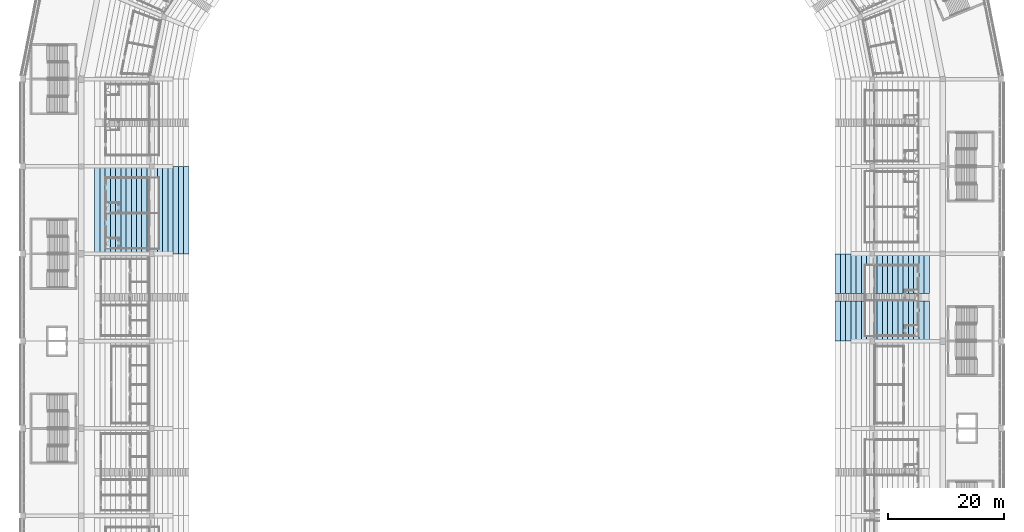
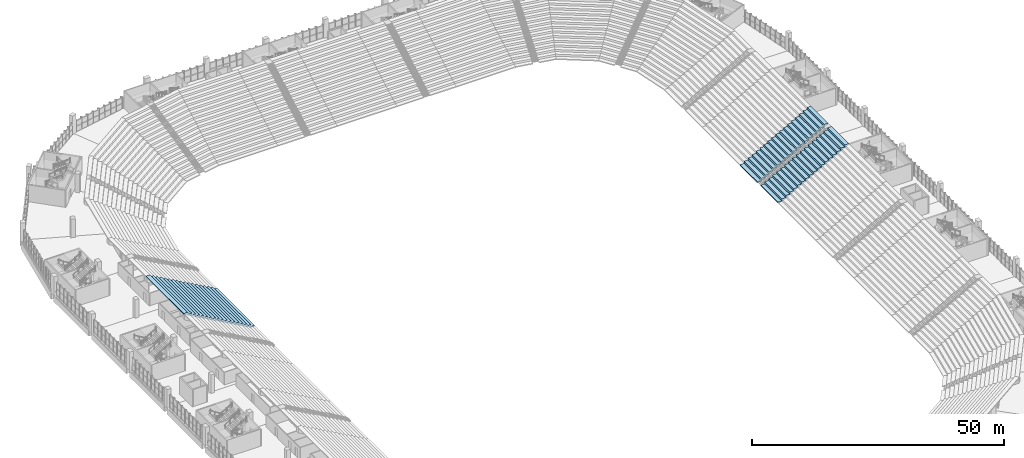
# One storey, part 123 of 249: 2 slabs.
"""IFC4 building model written with IfcOpenShell, lengths in metres."""

from ifc_helpers import new_model, si_unit, direction, frame, origin, place, context, subcontext, project, spatial, faceted_brep, material, layer, layer_set, type_object, element, save


model = new_model("IFC4")

# Units and contexts
model_context = context("Model", 3, precision=1e-05, world=origin(), true_north=direction((0.0, 1.0)))
body_context = subcontext(model_context, "Body", "Model", "MODEL_VIEW")
ifc_project = project(units=[si_unit("LENGTHUNIT", "METRE"), si_unit("AREAUNIT", "SQUARE_METRE"), si_unit("VOLUMEUNIT", "CUBIC_METRE"), si_unit("PLANEANGLEUNIT", "RADIAN"), si_unit("MASSUNIT", "GRAM", prefix="KILO")], contexts=[model_context])

# Site, building, storey
site_placement = place(None, origin())
site = spatial("IfcSite", under=ifc_project, at=site_placement, CompositionType="ELEMENT")
building_placement = place(site_placement, origin())
building = spatial("IfcBuilding", under=site, at=building_placement, Name="Ogive Plaza Stadium", CompositionType="ELEMENT")
storey_placement = place(building_placement, frame((0.0, 0.0, 13.5)))
storey = spatial("IfcBuildingStorey", under=building, at=storey_placement, Name="L03", CompositionType="ELEMENT", Elevation=13.5)

# Slabs
ifc_material = material(Name="Concrete C45/55 precast", Category="concrete")
ifc_layer = layer(ifc_material, 0.699951171875)
ifc_layer_set = layer_set([ifc_layer], Name="Concrete C45/55 precast")
slab_type = type_object("IfcSlabType", Name="Seating tier UT 700", PredefinedType="USERDEFINED", material=ifc_layer_set)
slab_1_placement = place(storey_placement, origin())
element("IfcSlab", 1, at=slab_1_placement, inside=storey, type_object=slab_type, Name="Stand UT B03", ObjectType="SEATING TIER", PredefinedType="USERDEFINED", context=body_context, shape_type="Brep", body=[
    faceted_brep([(55.5, 15.64990234375, 0.5), (56.39990234375, 15.64990234375, 0.5), (56.39990234375, 22.5, 0.5), (55.5, 22.5, 0.5), (55.5, 7.5, 0.5), (56.39990234375, 7.5, 0.5), (56.39990234375, 14.35009765625, 0.5), (55.5, 14.35009765625, 0.5), (56.39990234375, 15.64990234375, 0.300048828125), (55.5, 22.5, 0.25), (56.39990234375, 22.5, 0.300048828125), (55.5, 15.64990234375, 0.25), (56.39990234375, 7.5, 0.300048828125), (55.5, 14.35009765625, 0.25), (56.39990234375, 14.35009765625, 0.300048828125), (55.5, 7.5, 0.25), (56.39990234375, 15.64990234375, 1.0), (56.39990234375, 22.5, 1.0), (56.39990234375, 7.5, 1.0), (56.39990234375, 14.35009765625, 1.0), (57.300048828125, 22.5, 1.0), (57.300048828125, 22.5, 0.800048828125), (57.300048828125, 22.5, 1.5), (58.199951171875, 22.5, 1.5), (58.199951171875, 22.5, 1.300048828125), (58.199951171875, 22.5, 2.0), (59.10009765625, 22.5, 2.0), (59.10009765625, 22.5, 1.800048828125), (59.10009765625, 22.5, 2.5), (60.0, 22.5, 2.5), (60.0, 22.5, 2.300048828125), (60.0, 22.5, 3.0), (60.89990234375, 22.5, 3.0), (60.89990234375, 22.5, 2.800048828125), (60.89990234375, 22.5, 3.5), (61.800048828125, 22.5, 3.5), (61.800048828125, 22.5, 3.300048828125), (61.800048828125, 22.5, 4.0), (62.699951171875, 22.5, 4.0), (62.699951171875, 22.5, 3.800048828125), (62.699951171875, 22.5, 4.5), (63.60009765625, 22.5, 4.5), (63.60009765625, 22.5, 4.300048828125), (63.60009765625, 22.5, 5.0), (64.5, 22.5, 5.0), (64.5, 22.5, 4.800048828125), (64.5, 22.5, 5.5), (65.39990234375, 22.5, 5.5), (65.39990234375, 22.5, 5.300048828125), (65.39990234375, 22.5, 6.0), (66.300048828125, 22.5, 6.0), (66.300048828125, 22.5, 5.800048828125), (66.300048828125, 22.5, 6.5), (67.199951171875, 22.5, 6.5), (67.199951171875, 22.5, 6.300048828125), (67.199951171875, 22.5, 7.0), (68.10009765625, 22.5, 7.0), (68.10009765625, 22.5, 6.800048828125), (68.10009765625, 22.5, 7.5), (69.0, 22.5, 7.5), (69.0, 22.5, 7.300048828125), (69.0, 22.5, 8.0), (69.89990234375, 22.5, 8.0), (69.89990234375, 22.5, 7.800048828125), (69.89990234375, 22.5, 8.5), (70.800048828125, 22.5, 8.5), (70.800048828125, 22.5, 8.300048828125), (70.800048828125, 22.5, 9.0), (71.699951171875, 22.5, 9.0), (71.699951171875, 22.5, 8.800048828125), (57.300048828125, 15.64990234375, 1.0), (57.300048828125, 15.64990234375, 0.800048828125), (58.199951171875, 15.64990234375, 1.5), (57.300048828125, 15.64990234375, 1.5), (58.199951171875, 15.64990234375, 1.300048828125), (59.10009765625, 15.64990234375, 2.0), (58.199951171875, 15.64990234375, 2.0), (59.10009765625, 15.64990234375, 1.800048828125), (60.0, 15.64990234375, 2.5), (59.10009765625, 15.64990234375, 2.5), (60.0, 15.64990234375, 2.300048828125), (60.89990234375, 15.64990234375, 3.0), (60.0, 15.64990234375, 3.0), (60.89990234375, 15.64990234375, 2.800048828125), (61.800048828125, 15.64990234375, 3.5), (60.89990234375, 15.64990234375, 3.5), (61.800048828125, 15.64990234375, 3.300048828125), (62.699951171875, 15.64990234375, 4.0), (61.800048828125, 15.64990234375, 4.0), (62.699951171875, 15.64990234375, 3.800048828125), (63.60009765625, 15.64990234375, 4.5), (62.699951171875, 15.64990234375, 4.5), (63.60009765625, 15.64990234375, 4.300048828125), (64.5, 15.64990234375, 5.0), (63.60009765625, 15.64990234375, 5.0), (64.5, 15.64990234375, 4.800048828125), (65.39990234375, 15.64990234375, 5.5), (64.5, 15.64990234375, 5.5), (65.39990234375, 15.64990234375, 5.300048828125), (66.300048828125, 15.64990234375, 6.0), (65.39990234375, 15.64990234375, 6.0), (66.300048828125, 15.64990234375, 5.800048828125), (67.199951171875, 15.64990234375, 6.5), (66.300048828125, 15.64990234375, 6.5), (67.199951171875, 15.64990234375, 6.300048828125), (68.10009765625, 15.64990234375, 7.0), (67.199951171875, 15.64990234375, 7.0), (68.10009765625, 15.64990234375, 6.800048828125), (69.0, 15.64990234375, 7.5), (68.10009765625, 15.64990234375, 7.5), (69.0, 15.64990234375, 7.300048828125), (69.89990234375, 15.64990234375, 8.0), (69.0, 15.64990234375, 8.0), (69.89990234375, 15.64990234375, 7.800048828125), (70.800048828125, 15.64990234375, 8.5), (69.89990234375, 15.64990234375, 8.5), (70.800048828125, 15.64990234375, 8.300048828125), (71.699951171875, 15.64990234375, 9.0), (70.800048828125, 15.64990234375, 9.0), (71.699951171875, 15.64990234375, 8.800048828125), (57.300048828125, 14.35009765625, 1.0), (57.300048828125, 14.35009765625, 0.800048828125), (57.300048828125, 14.35009765625, 1.5), (58.199951171875, 14.35009765625, 1.5), (58.199951171875, 14.35009765625, 1.300048828125), (58.199951171875, 14.35009765625, 2.0), (59.10009765625, 14.35009765625, 2.0), (59.10009765625, 14.35009765625, 1.800048828125), (59.10009765625, 14.35009765625, 2.5), (60.0, 14.35009765625, 2.5), (60.0, 14.35009765625, 2.300048828125), (60.0, 14.35009765625, 3.0), (60.89990234375, 14.35009765625, 3.0), (60.89990234375, 14.35009765625, 2.800048828125), (60.89990234375, 14.35009765625, 3.5), (61.800048828125, 14.35009765625, 3.5), (61.800048828125, 14.35009765625, 3.300048828125), (61.800048828125, 14.35009765625, 4.0), (62.699951171875, 14.35009765625, 4.0), (62.699951171875, 14.35009765625, 3.800048828125), (62.699951171875, 14.35009765625, 4.5), (63.60009765625, 14.35009765625, 4.5), (63.60009765625, 14.35009765625, 4.300048828125), (63.60009765625, 14.35009765625, 5.0), (64.5, 14.35009765625, 5.0), (64.5, 14.35009765625, 4.800048828125), (64.5, 14.35009765625, 5.5), (65.39990234375, 14.35009765625, 5.5), (65.39990234375, 14.35009765625, 5.300048828125), (65.39990234375, 14.35009765625, 6.0), (66.300048828125, 14.35009765625, 6.0), (66.300048828125, 14.35009765625, 5.800048828125), (66.300048828125, 14.35009765625, 6.5), (67.199951171875, 14.35009765625, 6.5), (67.199951171875, 14.35009765625, 6.300048828125), (67.199951171875, 14.35009765625, 7.0), (68.10009765625, 14.35009765625, 7.0), (68.10009765625, 14.35009765625, 6.800048828125), (68.10009765625, 14.35009765625, 7.5), (69.0, 14.35009765625, 7.5), (69.0, 14.35009765625, 7.300048828125), (69.0, 14.35009765625, 8.0), (69.89990234375, 14.35009765625, 8.0), (69.89990234375, 14.35009765625, 7.800048828125), (69.89990234375, 14.35009765625, 8.5), (70.800048828125, 14.35009765625, 8.5), (70.800048828125, 14.35009765625, 8.300048828125), (70.800048828125, 14.35009765625, 9.0), (71.699951171875, 14.35009765625, 9.0), (71.699951171875, 14.35009765625, 8.800048828125), (57.300048828125, 7.5, 1.0), (57.300048828125, 7.5, 0.800048828125), (58.199951171875, 7.5, 1.5), (57.300048828125, 7.5, 1.5), (58.199951171875, 7.5, 1.300048828125), (59.10009765625, 7.5, 2.0), (58.199951171875, 7.5, 2.0), (59.10009765625, 7.5, 1.800048828125), (60.0, 7.5, 2.5), (59.10009765625, 7.5, 2.5), (60.0, 7.5, 2.300048828125), (60.89990234375, 7.5, 3.0), (60.0, 7.5, 3.0), (60.89990234375, 7.5, 2.800048828125), (61.800048828125, 7.5, 3.5), (60.89990234375, 7.5, 3.5), (61.800048828125, 7.5, 3.300048828125), (62.699951171875, 7.5, 4.0), (61.800048828125, 7.5, 4.0), (62.699951171875, 7.5, 3.800048828125), (63.60009765625, 7.5, 4.5), (62.699951171875, 7.5, 4.5), (63.60009765625, 7.5, 4.300048828125), (64.5, 7.5, 5.0), (63.60009765625, 7.5, 5.0), (64.5, 7.5, 4.800048828125), (65.39990234375, 7.5, 5.5), (64.5, 7.5, 5.5), (65.39990234375, 7.5, 5.300048828125), (66.300048828125, 7.5, 6.0), (65.39990234375, 7.5, 6.0), (66.300048828125, 7.5, 5.800048828125), (67.199951171875, 7.5, 6.5), (66.300048828125, 7.5, 6.5), (67.199951171875, 7.5, 6.300048828125), (68.10009765625, 7.5, 7.0), (67.199951171875, 7.5, 7.0), (68.10009765625, 7.5, 6.800048828125), (69.0, 7.5, 7.5), (68.10009765625, 7.5, 7.5), (69.0, 7.5, 7.300048828125), (69.89990234375, 7.5, 8.0), (69.0, 7.5, 8.0), (69.89990234375, 7.5, 7.800048828125), (70.800048828125, 7.5, 8.5), (69.89990234375, 7.5, 8.5), (70.800048828125, 7.5, 8.300048828125), (71.699951171875, 7.5, 9.0), (70.800048828125, 7.5, 9.0), (71.699951171875, 7.5, 8.800048828125)], [[[0, 1, 2]], [[2, 3, 0]], [[4, 5, 6]], [[6, 7, 4]], [[8, 9, 10]], [[8, 11, 9]], [[12, 13, 14]], [[12, 15, 13]], [[1, 16, 17]], [[17, 2, 1]], [[5, 18, 19]], [[19, 6, 5]], [[10, 9, 3]], [[10, 3, 2]], [[2, 17, 20]], [[20, 21, 10]], [[10, 2, 20]], [[20, 22, 23]], [[23, 24, 21]], [[21, 20, 23]], [[23, 25, 26]], [[26, 27, 24]], [[24, 23, 26]], [[26, 28, 29]], [[29, 30, 27]], [[27, 26, 29]], [[29, 31, 32]], [[32, 33, 30]], [[30, 29, 32]], [[32, 34, 35]], [[35, 36, 33]], [[33, 32, 35]], [[35, 37, 38]], [[38, 39, 36]], [[36, 35, 38]], [[38, 40, 41]], [[41, 42, 39]], [[39, 38, 41]], [[41, 43, 44]], [[44, 45, 42]], [[42, 41, 44]], [[44, 46, 47]], [[47, 48, 45]], [[45, 44, 47]], [[47, 49, 50]], [[50, 51, 48]], [[48, 47, 50]], [[50, 52, 53]], [[53, 54, 51]], [[51, 50, 53]], [[53, 55, 56]], [[56, 57, 54]], [[54, 53, 56]], [[56, 58, 59]], [[59, 60, 57]], [[57, 56, 59]], [[59, 61, 62]], [[62, 63, 60]], [[60, 59, 62]], [[62, 64, 65]], [[65, 66, 63]], [[63, 62, 65]], [[65, 67, 68]], [[68, 69, 66]], [[66, 65, 68]], [[3, 9, 11]], [[11, 0, 3]], [[7, 13, 15]], [[15, 4, 7]], [[0, 11, 8]], [[8, 1, 0]], [[70, 16, 1]], [[1, 8, 71]], [[71, 70, 1]], [[72, 73, 70]], [[70, 71, 74]], [[74, 72, 70]], [[75, 76, 72]], [[72, 74, 77]], [[77, 75, 72]], [[78, 79, 75]], [[75, 77, 80]], [[80, 78, 75]], [[81, 82, 78]], [[78, 80, 83]], [[83, 81, 78]], [[84, 85, 81]], [[81, 83, 86]], [[86, 84, 81]], [[87, 88, 84]], [[84, 86, 89]], [[89, 87, 84]], [[90, 91, 87]], [[87, 89, 92]], [[92, 90, 87]], [[93, 94, 90]], [[90, 92, 95]], [[95, 93, 90]], [[96, 97, 93]], [[93, 95, 98]], [[98, 96, 93]], [[99, 100, 96]], [[96, 98, 101]], [[101, 99, 96]], [[102, 103, 99]], [[99, 101, 104]], [[104, 102, 99]], [[105, 106, 102]], [[102, 104, 107]], [[107, 105, 102]], [[108, 109, 105]], [[105, 107, 110]], [[110, 108, 105]], [[111, 112, 108]], [[108, 110, 113]], [[113, 111, 108]], [[114, 115, 111]], [[111, 113, 116]], [[116, 114, 111]], [[117, 118, 114]], [[114, 116, 119]], [[119, 117, 114]], [[14, 13, 7]], [[14, 7, 6]], [[6, 19, 120]], [[120, 121, 14]], [[14, 6, 120]], [[120, 122, 123]], [[123, 124, 121]], [[121, 120, 123]], [[123, 125, 126]], [[126, 127, 124]], [[124, 123, 126]], [[126, 128, 129]], [[129, 130, 127]], [[127, 126, 129]], [[129, 131, 132]], [[132, 133, 130]], [[130, 129, 132]], [[132, 134, 135]], [[135, 136, 133]], [[133, 132, 135]], [[135, 137, 138]], [[138, 139, 136]], [[136, 135, 138]], [[138, 140, 141]], [[141, 142, 139]], [[139, 138, 141]], [[141, 143, 144]], [[144, 145, 142]], [[142, 141, 144]], [[144, 146, 147]], [[147, 148, 145]], [[145, 144, 147]], [[147, 149, 150]], [[150, 151, 148]], [[148, 147, 150]], [[150, 152, 153]], [[153, 154, 151]], [[151, 150, 153]], [[153, 155, 156]], [[156, 157, 154]], [[154, 153, 156]], [[156, 158, 159]], [[159, 160, 157]], [[157, 156, 159]], [[159, 161, 162]], [[162, 163, 160]], [[160, 159, 162]], [[162, 164, 165]], [[165, 166, 163]], [[163, 162, 165]], [[165, 167, 168]], [[168, 169, 166]], [[166, 165, 168]], [[4, 15, 12]], [[12, 5, 4]], [[170, 18, 5]], [[5, 12, 171]], [[171, 170, 5]], [[172, 173, 170]], [[170, 171, 174]], [[174, 172, 170]], [[175, 176, 172]], [[172, 174, 177]], [[177, 175, 172]], [[178, 179, 175]], [[175, 177, 180]], [[180, 178, 175]], [[181, 182, 178]], [[178, 180, 183]], [[183, 181, 178]], [[184, 185, 181]], [[181, 183, 186]], [[186, 184, 181]], [[187, 188, 184]], [[184, 186, 189]], [[189, 187, 184]], [[190, 191, 187]], [[187, 189, 192]], [[192, 190, 187]], [[193, 194, 190]], [[190, 192, 195]], [[195, 193, 190]], [[196, 197, 193]], [[193, 195, 198]], [[198, 196, 193]], [[199, 200, 196]], [[196, 198, 201]], [[201, 199, 196]], [[202, 203, 199]], [[199, 201, 204]], [[204, 202, 199]], [[205, 206, 202]], [[202, 204, 207]], [[207, 205, 202]], [[208, 209, 205]], [[205, 207, 210]], [[210, 208, 205]], [[211, 212, 208]], [[208, 210, 213]], [[213, 211, 208]], [[214, 215, 211]], [[211, 213, 216]], [[216, 214, 211]], [[217, 218, 214]], [[214, 216, 219]], [[219, 217, 214]], [[16, 70, 20]], [[20, 17, 16]], [[18, 170, 120]], [[120, 19, 18]], [[71, 10, 21]], [[71, 8, 10]], [[171, 14, 121]], [[171, 12, 14]], [[74, 21, 24]], [[74, 71, 21]], [[174, 121, 124]], [[174, 171, 121]], [[77, 24, 27]], [[77, 74, 24]], [[177, 124, 127]], [[177, 174, 124]], [[80, 27, 30]], [[80, 77, 27]], [[180, 127, 130]], [[180, 177, 127]], [[83, 30, 33]], [[83, 80, 30]], [[183, 130, 133]], [[183, 180, 130]], [[86, 33, 36]], [[86, 83, 33]], [[186, 133, 136]], [[186, 183, 133]], [[89, 36, 39]], [[89, 86, 36]], [[189, 136, 139]], [[189, 186, 136]], [[92, 39, 42]], [[92, 89, 39]], [[192, 139, 142]], [[192, 189, 139]], [[95, 42, 45]], [[95, 92, 42]], [[195, 142, 145]], [[195, 192, 142]], [[98, 45, 48]], [[98, 95, 45]], [[198, 145, 148]], [[198, 195, 145]], [[101, 48, 51]], [[101, 98, 48]], [[201, 148, 151]], [[201, 198, 148]], [[104, 51, 54]], [[104, 101, 51]], [[204, 151, 154]], [[204, 201, 151]], [[107, 54, 57]], [[107, 104, 54]], [[207, 154, 157]], [[207, 204, 154]], [[110, 57, 60]], [[110, 107, 57]], [[210, 157, 160]], [[210, 207, 157]], [[70, 73, 22]], [[22, 20, 70]], [[170, 173, 122]], [[122, 120, 170]], [[73, 72, 23]], [[23, 22, 73]], [[173, 172, 123]], [[123, 122, 173]], [[72, 76, 25]], [[25, 23, 72]], [[172, 176, 125]], [[125, 123, 172]], [[76, 75, 26]], [[26, 25, 76]], [[176, 175, 126]], [[126, 125, 176]], [[75, 79, 28]], [[28, 26, 75]], [[175, 179, 128]], [[128, 126, 175]], [[79, 78, 29]], [[29, 28, 79]], [[179, 178, 129]], [[129, 128, 179]], [[78, 82, 31]], [[31, 29, 78]], [[178, 182, 131]], [[131, 129, 178]], [[82, 81, 32]], [[32, 31, 82]], [[182, 181, 132]], [[132, 131, 182]], [[81, 85, 34]], [[34, 32, 81]], [[181, 185, 134]], [[134, 132, 181]], [[85, 84, 35]], [[35, 34, 85]], [[185, 184, 135]], [[135, 134, 185]], [[84, 88, 37]], [[37, 35, 84]], [[184, 188, 137]], [[137, 135, 184]], [[88, 87, 38]], [[38, 37, 88]], [[188, 187, 138]], [[138, 137, 188]], [[87, 91, 40]], [[40, 38, 87]], [[187, 191, 140]], [[140, 138, 187]], [[91, 90, 41]], [[41, 40, 91]], [[191, 190, 141]], [[141, 140, 191]], [[90, 94, 43]], [[43, 41, 90]], [[190, 194, 143]], [[143, 141, 190]], [[94, 93, 44]], [[44, 43, 94]], [[194, 193, 144]], [[144, 143, 194]], [[93, 97, 46]], [[46, 44, 93]], [[193, 197, 146]], [[146, 144, 193]], [[97, 96, 47]], [[47, 46, 97]], [[197, 196, 147]], [[147, 146, 197]], [[96, 100, 49]], [[49, 47, 96]], [[196, 200, 149]], [[149, 147, 196]], [[100, 99, 50]], [[50, 49, 100]], [[200, 199, 150]], [[150, 149, 200]], [[99, 103, 52]], [[52, 50, 99]], [[199, 203, 152]], [[152, 150, 199]], [[103, 102, 53]], [[53, 52, 103]], [[203, 202, 153]], [[153, 152, 203]], [[102, 106, 55]], [[55, 53, 102]], [[202, 206, 155]], [[155, 153, 202]], [[106, 105, 56]], [[56, 55, 106]], [[206, 205, 156]], [[156, 155, 206]], [[105, 109, 58]], [[58, 56, 105]], [[205, 209, 158]], [[158, 156, 205]], [[109, 108, 59]], [[59, 58, 109]], [[209, 208, 159]], [[159, 158, 209]], [[108, 112, 61]], [[61, 59, 108]], [[208, 212, 161]], [[161, 159, 208]], [[112, 111, 62]], [[62, 61, 112]], [[212, 211, 162]], [[162, 161, 212]], [[113, 60, 63]], [[113, 110, 60]], [[213, 160, 163]], [[213, 210, 160]], [[116, 63, 66]], [[116, 113, 63]], [[216, 163, 166]], [[216, 213, 163]], [[119, 66, 69]], [[119, 116, 66]], [[219, 166, 169]], [[219, 216, 166]], [[111, 115, 64]], [[64, 62, 111]], [[211, 215, 164]], [[164, 162, 211]], [[115, 114, 65]], [[65, 64, 115]], [[215, 214, 165]], [[165, 164, 215]], [[114, 118, 67]], [[67, 65, 114]], [[214, 218, 167]], [[167, 165, 214]], [[118, 117, 68]], [[68, 67, 118]], [[218, 217, 168]], [[168, 167, 218]], [[117, 119, 69]], [[69, 68, 117]], [[217, 219, 169]], [[169, 168, 217]]]),
])
slab_2_placement = place(storey_placement, origin())
element("IfcSlab", 2, at=slab_2_placement, inside=storey, type_object=slab_type, Name="Stand UT B26", ObjectType="SEATING TIER", PredefinedType="USERDEFINED", context=body_context, shape_type="Brep", body=[
    faceted_brep([(-55.5, 37.5, 0.5), (-56.39990234375, 37.5, 0.5), (-56.39990234375, 22.5, 0.5), (-55.5, 22.5, 0.5), (-56.39990234375, 37.5, 0.300048828125), (-55.5, 22.5, 0.25), (-56.39990234375, 22.5, 0.300048828125), (-55.5, 37.5, 0.25), (-56.39990234375, 22.5, 1.0), (-56.39990234375, 37.5, 1.0), (-57.300048828125, 22.5, 1.0), (-57.300048828125, 22.5, 0.800048828125), (-57.300048828125, 22.5, 1.5), (-58.199951171875, 22.5, 1.5), (-58.199951171875, 22.5, 1.300048828125), (-58.199951171875, 22.5, 2.0), (-59.10009765625, 22.5, 2.0), (-59.10009765625, 22.5, 1.800048828125), (-59.10009765625, 22.5, 2.5), (-60.0, 22.5, 2.5), (-60.0, 22.5, 2.300048828125), (-60.0, 22.5, 3.0), (-60.89990234375, 22.5, 3.0), (-60.89990234375, 22.5, 2.800048828125), (-60.89990234375, 22.5, 3.5), (-61.800048828125, 22.5, 3.5), (-61.800048828125, 22.5, 3.300048828125), (-61.800048828125, 22.5, 4.0), (-62.699951171875, 22.5, 4.0), (-62.699951171875, 22.5, 3.800048828125), (-62.699951171875, 22.5, 4.5), (-63.60009765625, 22.5, 4.5), (-63.60009765625, 22.5, 4.300048828125), (-63.60009765625, 22.5, 5.0), (-64.5, 22.5, 5.0), (-64.5, 22.5, 4.800048828125), (-64.5, 22.5, 5.5), (-65.39990234375, 22.5, 5.5), (-65.39990234375, 22.5, 5.300048828125), (-65.39990234375, 22.5, 6.0), (-66.300048828125, 22.5, 6.0), (-66.300048828125, 22.5, 5.800048828125), (-66.300048828125, 22.5, 6.5), (-67.199951171875, 22.5, 6.5), (-67.199951171875, 22.5, 6.300048828125), (-67.199951171875, 22.5, 7.0), (-68.10009765625, 22.5, 7.0), (-68.10009765625, 22.5, 6.800048828125), (-68.10009765625, 22.5, 7.5), (-69.0, 22.5, 7.5), (-69.0, 22.5, 7.300048828125), (-69.0, 22.5, 8.0), (-69.89990234375, 22.5, 8.0), (-69.89990234375, 22.5, 7.800048828125), (-69.89990234375, 22.5, 8.5), (-70.800048828125, 22.5, 8.5), (-70.800048828125, 22.5, 8.300048828125), (-70.800048828125, 22.5, 9.0), (-71.699951171875, 22.5, 9.0), (-71.699951171875, 22.5, 8.800048828125), (-57.300048828125, 37.5, 1.0), (-57.300048828125, 37.5, 0.800048828125), (-58.199951171875, 37.5, 1.5), (-57.300048828125, 37.5, 1.5), (-58.199951171875, 37.5, 1.300048828125), (-59.10009765625, 37.5, 2.0), (-58.199951171875, 37.5, 2.0), (-59.10009765625, 37.5, 1.800048828125), (-60.0, 37.5, 2.5), (-59.10009765625, 37.5, 2.5), (-60.0, 37.5, 2.300048828125), (-60.89990234375, 37.5, 3.0), (-60.0, 37.5, 3.0), (-60.89990234375, 37.5, 2.800048828125), (-61.800048828125, 37.5, 3.5), (-60.89990234375, 37.5, 3.5), (-61.800048828125, 37.5, 3.300048828125), (-62.699951171875, 37.5, 4.0), (-61.800048828125, 37.5, 4.0), (-62.699951171875, 37.5, 3.800048828125), (-63.60009765625, 37.5, 4.5), (-62.699951171875, 37.5, 4.5), (-63.60009765625, 37.5, 4.300048828125), (-64.5, 37.5, 5.0), (-63.60009765625, 37.5, 5.0), (-64.5, 37.5, 4.800048828125), (-65.39990234375, 37.5, 5.5), (-64.5, 37.5, 5.5), (-65.39990234375, 37.5, 5.300048828125), (-66.300048828125, 37.5, 6.0), (-65.39990234375, 37.5, 6.0), (-66.300048828125, 37.5, 5.800048828125), (-67.199951171875, 37.5, 6.5), (-66.300048828125, 37.5, 6.5), (-67.199951171875, 37.5, 6.300048828125), (-68.10009765625, 37.5, 7.0), (-67.199951171875, 37.5, 7.0), (-68.10009765625, 37.5, 6.800048828125), (-69.0, 37.5, 7.5), (-68.10009765625, 37.5, 7.5), (-69.0, 37.5, 7.300048828125), (-69.89990234375, 37.5, 8.0), (-69.0, 37.5, 8.0), (-69.89990234375, 37.5, 7.800048828125), (-70.800048828125, 37.5, 8.5), (-69.89990234375, 37.5, 8.5), (-70.800048828125, 37.5, 8.300048828125), (-71.699951171875, 37.5, 9.0), (-70.800048828125, 37.5, 9.0), (-71.699951171875, 37.5, 8.800048828125)], [[[0, 1, 2]], [[2, 3, 0]], [[4, 5, 6]], [[4, 7, 5]], [[8, 2, 1]], [[1, 9, 8]], [[6, 5, 3]], [[6, 3, 2]], [[2, 8, 10]], [[10, 11, 6]], [[6, 2, 10]], [[10, 12, 13]], [[13, 14, 11]], [[11, 10, 13]], [[13, 15, 16]], [[16, 17, 14]], [[14, 13, 16]], [[16, 18, 19]], [[19, 20, 17]], [[17, 16, 19]], [[19, 21, 22]], [[22, 23, 20]], [[20, 19, 22]], [[22, 24, 25]], [[25, 26, 23]], [[23, 22, 25]], [[25, 27, 28]], [[28, 29, 26]], [[26, 25, 28]], [[28, 30, 31]], [[31, 32, 29]], [[29, 28, 31]], [[31, 33, 34]], [[34, 35, 32]], [[32, 31, 34]], [[34, 36, 37]], [[37, 38, 35]], [[35, 34, 37]], [[37, 39, 40]], [[40, 41, 38]], [[38, 37, 40]], [[40, 42, 43]], [[43, 44, 41]], [[41, 40, 43]], [[43, 45, 46]], [[46, 47, 44]], [[44, 43, 46]], [[46, 48, 49]], [[49, 50, 47]], [[47, 46, 49]], [[49, 51, 52]], [[52, 53, 50]], [[50, 49, 52]], [[52, 54, 55]], [[55, 56, 53]], [[53, 52, 55]], [[55, 57, 58]], [[58, 59, 56]], [[56, 55, 58]], [[3, 5, 7]], [[7, 0, 3]], [[0, 7, 4]], [[4, 1, 0]], [[60, 9, 1]], [[1, 4, 61]], [[61, 60, 1]], [[62, 63, 60]], [[60, 61, 64]], [[64, 62, 60]], [[65, 66, 62]], [[62, 64, 67]], [[67, 65, 62]], [[68, 69, 65]], [[65, 67, 70]], [[70, 68, 65]], [[71, 72, 68]], [[68, 70, 73]], [[73, 71, 68]], [[74, 75, 71]], [[71, 73, 76]], [[76, 74, 71]], [[77, 78, 74]], [[74, 76, 79]], [[79, 77, 74]], [[80, 81, 77]], [[77, 79, 82]], [[82, 80, 77]], [[83, 84, 80]], [[80, 82, 85]], [[85, 83, 80]], [[86, 87, 83]], [[83, 85, 88]], [[88, 86, 83]], [[89, 90, 86]], [[86, 88, 91]], [[91, 89, 86]], [[92, 93, 89]], [[89, 91, 94]], [[94, 92, 89]], [[95, 96, 92]], [[92, 94, 97]], [[97, 95, 92]], [[98, 99, 95]], [[95, 97, 100]], [[100, 98, 95]], [[101, 102, 98]], [[98, 100, 103]], [[103, 101, 98]], [[104, 105, 101]], [[101, 103, 106]], [[106, 104, 101]], [[107, 108, 104]], [[104, 106, 109]], [[109, 107, 104]], [[9, 60, 10]], [[10, 8, 9]], [[61, 6, 11]], [[61, 4, 6]], [[64, 11, 14]], [[64, 61, 11]], [[67, 14, 17]], [[67, 64, 14]], [[70, 17, 20]], [[70, 67, 17]], [[73, 20, 23]], [[73, 70, 20]], [[76, 23, 26]], [[76, 73, 23]], [[79, 26, 29]], [[79, 76, 26]], [[82, 29, 32]], [[82, 79, 29]], [[85, 32, 35]], [[85, 82, 32]], [[88, 35, 38]], [[88, 85, 35]], [[91, 38, 41]], [[91, 88, 38]], [[94, 41, 44]], [[94, 91, 41]], [[97, 44, 47]], [[97, 94, 44]], [[100, 47, 50]], [[100, 97, 47]], [[12, 10, 60]], [[60, 63, 12]], [[63, 62, 13]], [[13, 12, 63]], [[15, 13, 62]], [[62, 66, 15]], [[66, 65, 16]], [[16, 15, 66]], [[18, 16, 65]], [[65, 69, 18]], [[69, 68, 19]], [[19, 18, 69]], [[21, 19, 68]], [[68, 72, 21]], [[72, 71, 22]], [[22, 21, 72]], [[24, 22, 71]], [[71, 75, 24]], [[75, 74, 25]], [[25, 24, 75]], [[27, 25, 74]], [[74, 78, 27]], [[78, 77, 28]], [[28, 27, 78]], [[30, 28, 77]], [[77, 81, 30]], [[81, 80, 31]], [[31, 30, 81]], [[33, 31, 80]], [[80, 84, 33]], [[84, 83, 34]], [[34, 33, 84]], [[36, 34, 83]], [[83, 87, 36]], [[87, 86, 37]], [[37, 36, 87]], [[39, 37, 86]], [[86, 90, 39]], [[90, 89, 40]], [[40, 39, 90]], [[42, 40, 89]], [[89, 93, 42]], [[93, 92, 43]], [[43, 42, 93]], [[45, 43, 92]], [[92, 96, 45]], [[96, 95, 46]], [[46, 45, 96]], [[48, 46, 95]], [[95, 99, 48]], [[99, 98, 49]], [[49, 48, 99]], [[51, 49, 98]], [[98, 102, 51]], [[102, 101, 52]], [[52, 51, 102]], [[103, 50, 53]], [[103, 100, 50]], [[106, 53, 56]], [[106, 103, 53]], [[109, 56, 59]], [[109, 106, 56]], [[54, 52, 101]], [[101, 105, 54]], [[105, 104, 55]], [[55, 54, 105]], [[57, 55, 104]], [[104, 108, 57]], [[108, 107, 58]], [[58, 57, 108]], [[107, 109, 59]], [[59, 58, 107]]]),
])

save(model, "model.ifc")
